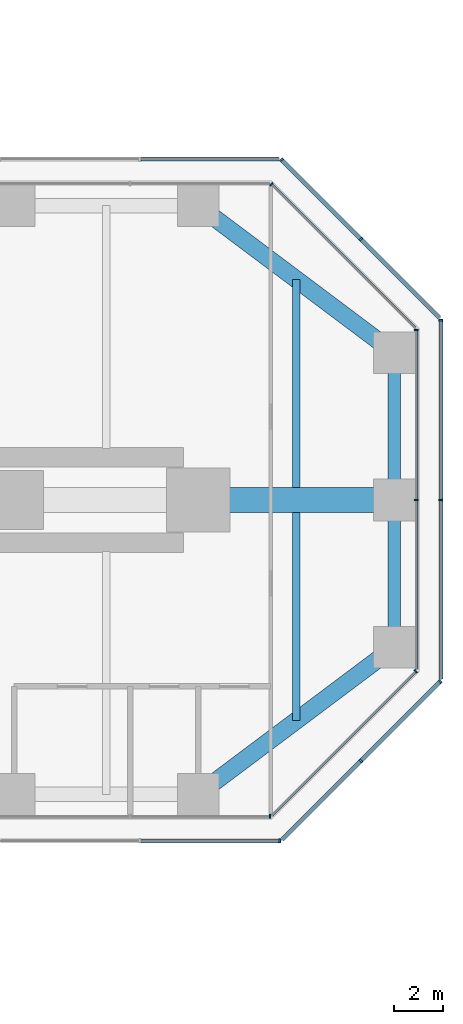
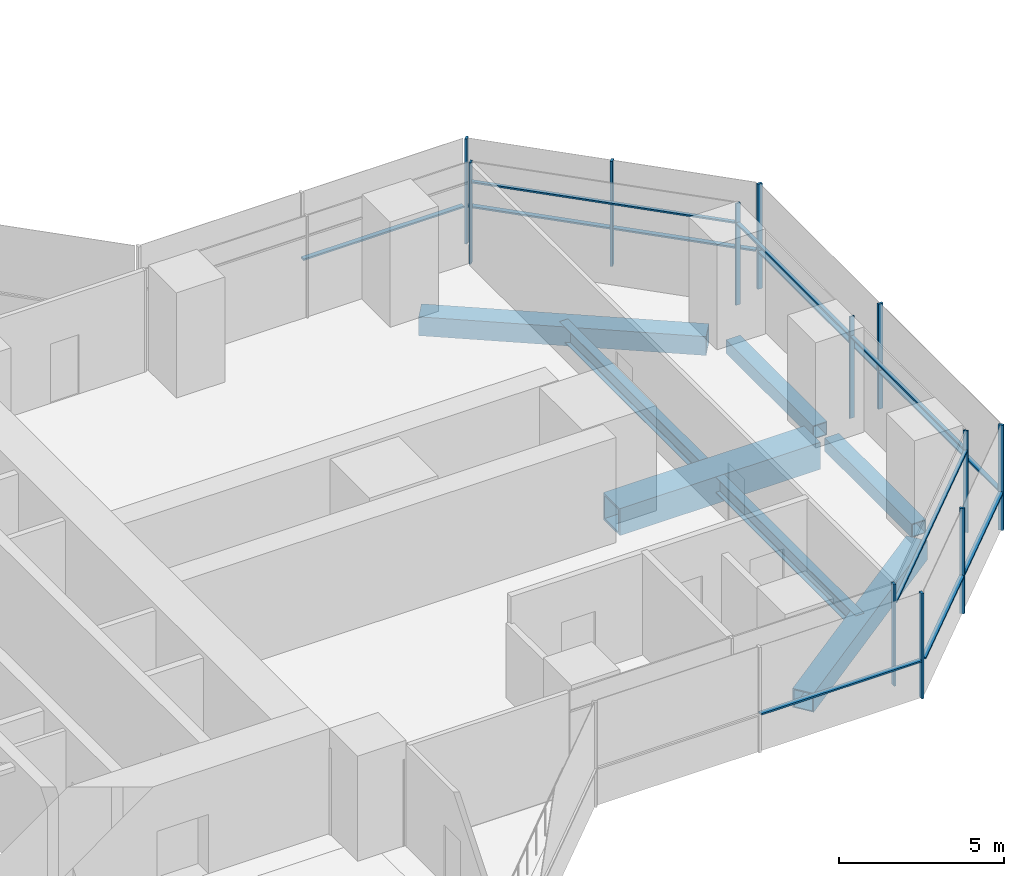
# One storey, part 12 of 22: 24 members, 7 beams, 9 elements without a shape of their own.
"""IFC4 building model written with IfcOpenShell, lengths in metres."""

from ifc_helpers import new_model, si_unit, direction, frame, origin, origin_2d, place, context, subcontext, project, spatial, rectangle, hollow_rectangle, i_section, extrude, material, material_profile, profile_set, type_object, element, aggregate, save


model = new_model("IFC4")

# Units and contexts
model_context = context("Model", 3, precision=1e-05, world=origin(), true_north=direction((0.0, 1.0)))
body_context = subcontext(model_context, "Body", "Model", "MODEL_VIEW")
ifc_project = project(units=[si_unit("LENGTHUNIT", "METRE"), si_unit("AREAUNIT", "SQUARE_METRE"), si_unit("VOLUMEUNIT", "CUBIC_METRE"), si_unit("PLANEANGLEUNIT", "RADIAN"), si_unit("MASSUNIT", "GRAM", prefix="KILO")], contexts=[model_context])

# Site, building, storey
site_placement = place(None, origin())
site = spatial("IfcSite", under=ifc_project, at=site_placement, CompositionType="ELEMENT")
building_placement = place(site_placement, origin())
building = spatial("IfcBuilding", under=site, at=building_placement, Name="Mizan Broadcast Tower", CompositionType="ELEMENT")
storey_placement = place(building_placement, frame((0.0, 0.0, 43.5)))
storey = spatial("IfcBuildingStorey", under=building, at=storey_placement, Name="L07", CompositionType="ELEMENT", Elevation=43.5)

# Beams
ifc_material_1 = material(Name="Steel S355", Category="steel")
ifc_material_profile_1 = material_profile(ifc_material_1, hollow_rectangle(XDim=0.5, YDim=0.5, WallThickness=0.030029296875, at=origin_2d()), Name="BOX 500x500x30")
ifc_profile_set_1 = profile_set([ifc_material_profile_1], Name="Steel S355")
beam_type_1 = type_object("IfcBeamType", Name="EDGE BEAM BOX 500x500x30", PredefinedType="SPANDREL", material=ifc_profile_set_1)
for number, where, z_axis, x_axis, name in (
    (1, (35.0, -5.639892578125, -0.3798828125), (0.0, 1.0, 0.0), (-1.0, 0.0, 0.0), "Edge beam BOX 500x500x30 L07 east arm"),
    (2, (35.0, 5.639892578125, -0.3798828125), (0.0, -1.0, 0.0), (1.0, 0.0, 0.0), "Edge beam BOX 500x500x30 L07 east arm"),
):
    element("IfcBeam", number, at=place(storey_placement, frame(where, z_axis=z_axis, x_axis=x_axis)), inside=storey, type_object=beam_type_1, Name=name, PredefinedType="SPANDREL", context=body_context, shape_type="SweptSolid", body=[
        extrude(hollow_rectangle(XDim=0.5, YDim=0.5, WallThickness=0.030029296875, at=origin_2d()), origin(), (0.0, 0.0, 1.0), 5.27978515625),
    ])
ifc_material_2 = material(Name="Steel S355", Category="steel")
ifc_material_profile_2 = material_profile(ifc_material_2, hollow_rectangle(XDim=0.699951171875, YDim=0.699951171875, WallThickness=0.0400390625, at=origin_2d()), Name="BOX 700x700x40")
ifc_profile_set_2 = profile_set([ifc_material_profile_2], Name="Steel S355")
beam_type_2 = type_object("IfcBeamType", Name="EDGE BEAM BOX 700x700x40", PredefinedType="SPANDREL", material=ifc_profile_set_2)
for number, where, z_axis, x_axis, name in (
    (3, (27.47998046875, -11.639892578125, -0.47998046875), (0.800013316712, 0.599982243973, 0.0), (-0.599982243973, 0.800013316712, 0.0), "Edge beam BOX 700x700x40 L07 east arm"),
    (4, (27.47998046875, 11.639892578125, -0.47998046875), (0.800013316712, -0.599982243973, 0.0), (0.599982243973, 0.800013316712, 0.0), "Edge beam BOX 700x700x40 L07 east arm"),
):
    element("IfcBeam", number, at=place(storey_placement, frame(where, z_axis=z_axis, x_axis=x_axis)), inside=storey, type_object=beam_type_2, Name=name, PredefinedType="SPANDREL", context=body_context, shape_type="SweptSolid", body=[
        extrude(hollow_rectangle(XDim=0.699951171875, YDim=0.699951171875, WallThickness=0.0400390625, at=origin_2d()), origin(), (0.0, 0.0, 1.0), 8.7998046875),
    ])
ifc_material_3 = material(Name="Steel S460", Category="steel")
ifc_material_profile_3 = material_profile(ifc_material_3, hollow_rectangle(XDim=1.0, YDim=1.0, WallThickness=0.080078125, at=origin_2d()), Name="BOX 1000x1000x80")
ifc_profile_set_3 = profile_set([ifc_material_profile_3], Name="Steel S460")
beam_type_3 = type_object("IfcBeamType", Name="GIRDER BOX 1000x1000x80", PredefinedType="BEAM", material=ifc_profile_set_3)
beam_placement = place(storey_placement, frame((27.47998046875, 0.0, -0.6298828125), z_axis=(1.0, 0.0, 0.0), x_axis=(0.0, 1.0, 0.0)))
element("IfcBeam", 5, at=beam_placement, inside=storey, type_object=beam_type_3, Name="Girder BOX 1000x1000x80 L07 east arm", PredefinedType="BEAM", context=body_context, shape_type="SweptSolid", body=[
    extrude(hollow_rectangle(XDim=1.0, YDim=1.0, WallThickness=0.080078125, at=origin_2d()), origin(), (0.0, 0.0, 1.0), 7.0400390625),
])

# Curtain wall, member
ifc_material_4 = material(Name="Aluminium framed glazing", Category="aluminium")
curtain_wall_type_1 = type_object("IfcCurtainWallType", Name="INNER SKIN LOW ZONE", PredefinedType="USERDEFINED", material=ifc_material_4)
curtain_wall_1_placement = place(storey_placement, origin())
curtain_wall_1 = element("IfcCurtainWall", 6, at=curtain_wall_1_placement, inside=storey, type_object=curtain_wall_type_1, Name="Inner skin low zone L07 E side", ObjectType="INNER SKIN LOW ZONE", PredefinedType="USERDEFINED")
ifc_material_5 = material(Name="Aluminium, pale anodised", Category="aluminium")
ifc_material_profile_4 = material_profile(ifc_material_5, rectangle(XDim=0.159912109375, YDim=0.06005859375, at=origin_2d()), Name="MULLION 160x60")
ifc_profile_set_4 = profile_set([ifc_material_profile_4], Name="Aluminium, pale anodised")
member_type_1 = type_object("IfcMemberType", Name="INNER SKIN MULLION 60x160", PredefinedType="MULLION", material=ifc_profile_set_4)
member_1_placement = place(storey_placement, frame((29.928466796875, -12.89990234375, 0.0), z_axis=(0.0, 0.0, 1.0), x_axis=(0.0, 1.0, 0.0)))
member_1 = element("IfcMember", 7, at=member_1_placement, type_object=member_type_1, Name="Inner skin low zone L07 E side mullion 3", PredefinedType="MULLION", context=body_context, shape_type="SweptSolid", body=[
    extrude(rectangle(XDim=0.159912109375, YDim=0.06005859375, at=origin_2d()), origin(), (0.0, 0.0, 1.0), 3.77001953125),
])
aggregate(curtain_wall_1, [member_1])

curtain_wall_2_placement = place(storey_placement, origin())
curtain_wall_2 = element("IfcCurtainWall", 8, at=curtain_wall_2_placement, inside=storey, type_object=curtain_wall_type_1, Name="Inner skin low zone L07 E chamfer", ObjectType="INNER SKIN LOW ZONE", PredefinedType="USERDEFINED")
member_2_placement = place(storey_placement, frame((35.87890625, -6.979736328125, 0.0), z_axis=(0.0, 0.0, 1.0), x_axis=(-0.707106781187, 0.707106781187, 0.0)))
member_2 = element("IfcMember", 9, at=member_2_placement, type_object=member_type_1, Name="Inner skin low zone L07 E chamfer mullion 2", PredefinedType="MULLION", context=body_context, shape_type="SweptSolid", body=[
    extrude(rectangle(XDim=0.159912109375, YDim=0.06005859375, at=origin_2d()), origin(), (0.0, 0.0, 1.0), 3.77001953125),
])

# Curtain wall, members
curtain_wall_3_placement = place(storey_placement, origin())
curtain_wall_3 = element("IfcCurtainWall", 10, at=curtain_wall_3_placement, inside=storey, type_object=curtain_wall_type_1, Name="Inner skin low zone L07 E end", ObjectType="INNER SKIN LOW ZONE", PredefinedType="USERDEFINED")
member_3_placement = place(storey_placement, frame((35.89990234375, 0.0, 0.0), z_axis=(0.0, 0.0, 1.0), x_axis=(-1.0, 0.0, 0.0)))
member_3 = element("IfcMember", 11, at=member_3_placement, type_object=member_type_1, Name="Inner skin low zone L07 E end mullion 2", PredefinedType="MULLION", context=body_context, shape_type="SweptSolid", body=[
    extrude(rectangle(XDim=0.159912109375, YDim=0.06005859375, at=origin_2d()), origin(), (0.0, 0.0, 1.0), 3.77001953125),
])
member_4_placement = place(storey_placement, frame((35.89990234375, 6.928466796875, 0.0), z_axis=(0.0, 0.0, 1.0), x_axis=(-1.0, 0.0, 0.0)))
member_4 = element("IfcMember", 12, at=member_4_placement, type_object=member_type_1, Name="Inner skin low zone L07 E end mullion 3", PredefinedType="MULLION", context=body_context, shape_type="SweptSolid", body=[
    extrude(rectangle(XDim=0.159912109375, YDim=0.06005859375, at=origin_2d()), origin(), (0.0, 0.0, 1.0), 3.77001953125),
])

# Curtain wall, member
curtain_wall_4_placement = place(storey_placement, origin())
curtain_wall_4 = element("IfcCurtainWall", 13, at=curtain_wall_4_placement, inside=storey, type_object=curtain_wall_type_1, Name="Inner skin low zone L07 E chamfer", ObjectType="INNER SKIN LOW ZONE", PredefinedType="USERDEFINED")
member_5_placement = place(storey_placement, frame((29.979736328125, 12.87890625, 0.0), z_axis=(0.0, 0.0, 1.0), x_axis=(-0.707106781187, -0.707106781187, 0.0)))
member_5 = element("IfcMember", 14, at=member_5_placement, type_object=member_type_1, Name="Inner skin low zone L07 E chamfer mullion 2", PredefinedType="MULLION", context=body_context, shape_type="SweptSolid", body=[
    extrude(rectangle(XDim=0.159912109375, YDim=0.06005859375, at=origin_2d()), origin(), (0.0, 0.0, 1.0), 3.77001953125),
])

# Member
ifc_material_6 = material(Name="Aluminium, pale anodised", Category="aluminium")
ifc_material_profile_5 = material_profile(ifc_material_6, rectangle(XDim=0.1201171875, YDim=0.06005859375, at=origin_2d()), Name="TRANSOM 120x60")
ifc_profile_set_5 = profile_set([ifc_material_profile_5], Name="Aluminium, pale anodised")
member_type_2 = type_object("IfcMemberType", Name="INNER SKIN TRANSOM 60x120", PredefinedType="USERDEFINED", material=ifc_profile_set_5)
member_6_placement = place(storey_placement, frame((30.0009765625, -12.857666015625, 3.030029296875), z_axis=(0.707106781187, 0.707106781187, 0.0), x_axis=(-0.707106781187, 0.707106781187, 0.0)))
member_6 = element("IfcMember", 15, at=member_6_placement, type_object=member_type_2, Name="Inner skin low zone L07 E chamfer transom 1.1", ObjectType="TRANSOM", PredefinedType="USERDEFINED", context=body_context, shape_type="SweptSolid", body=[
    extrude(rectangle(XDim=0.1201171875, YDim=0.06005859375, at=origin_2d()), origin(), (0.0, 0.0, 1.0), 8.28271484375),
])

aggregate(curtain_wall_2, [member_2, member_6])

member_7_placement = place(storey_placement, frame((35.89990234375, -6.898681640625, 3.030029296875), z_axis=(0.0, 1.0, 0.0), x_axis=(-1.0, 0.0, 0.0)))
member_7 = element("IfcMember", 16, at=member_7_placement, type_object=member_type_2, Name="Inner skin low zone L07 E end transom 1.1", ObjectType="TRANSOM", PredefinedType="USERDEFINED", context=body_context, shape_type="SweptSolid", body=[
    extrude(rectangle(XDim=0.1201171875, YDim=0.06005859375, at=origin_2d()), origin(), (0.0, 0.0, 1.0), 6.86865234375),
])

member_8_placement = place(storey_placement, frame((35.89990234375, 0.030029296875, 3.030029296875), z_axis=(0.0, 1.0, 0.0), x_axis=(-1.0, 0.0, 0.0)))
member_8 = element("IfcMember", 17, at=member_8_placement, type_object=member_type_2, Name="Inner skin low zone L07 E end transom 2.1", ObjectType="TRANSOM", PredefinedType="USERDEFINED", context=body_context, shape_type="SweptSolid", body=[
    extrude(rectangle(XDim=0.1201171875, YDim=0.06005859375, at=origin_2d()), origin(), (0.0, 0.0, 1.0), 6.86865234375),
])

aggregate(curtain_wall_3, [member_3, member_4, member_7, member_8])

member_9_placement = place(storey_placement, frame((35.857666015625, 7.0009765625, 3.030029296875), z_axis=(-0.707106781187, 0.707106781187, 0.0), x_axis=(-0.707106781187, -0.707106781187, 0.0)))
member_9 = element("IfcMember", 18, at=member_9_placement, type_object=member_type_2, Name="Inner skin low zone L07 E chamfer transom 1.1", ObjectType="TRANSOM", PredefinedType="USERDEFINED", context=body_context, shape_type="SweptSolid", body=[
    extrude(rectangle(XDim=0.1201171875, YDim=0.06005859375, at=origin_2d()), origin(), (0.0, 0.0, 1.0), 8.28271484375),
])

aggregate(curtain_wall_4, [member_5, member_9])

# Curtain wall, members
ifc_material_7 = material(Name="Aluminium framed glazing", Category="aluminium")
curtain_wall_type_2 = type_object("IfcCurtainWallType", Name="OUTER SKIN", PredefinedType="USERDEFINED", material=ifc_material_7)
curtain_wall_5_placement = place(storey_placement, origin())
curtain_wall_5 = element("IfcCurtainWall", 19, at=curtain_wall_5_placement, inside=storey, type_object=curtain_wall_type_2, Name="Outer skin L07 E chamfer", ObjectType="OUTER SKIN", PredefinedType="USERDEFINED")
ifc_material_8 = material(Name="Aluminium, pale anodised", Category="aluminium")
ifc_material_profile_6 = material_profile(ifc_material_8, rectangle(XDim=0.159912109375, YDim=0.080078125, at=origin_2d()), Name="MULLION 160x80")
ifc_profile_set_6 = profile_set([ifc_material_profile_6], Name="Aluminium, pale anodised")
member_type_3 = type_object("IfcMemberType", Name="OUTER SKIN MULLION 80x160", PredefinedType="MULLION", material=ifc_profile_set_6)
member_10_placement = place(storey_placement, frame((33.636474609375, -10.636474609375, 0.0), z_axis=(0.0, 0.0, 1.0), x_axis=(-0.707106781187, 0.707106781187, 0.0)))
member_10 = element("IfcMember", 20, at=member_10_placement, type_object=member_type_3, Name="Outer skin L07 E chamfer mullion 2", PredefinedType="MULLION", context=body_context, shape_type="SweptSolid", body=[
    extrude(rectangle(XDim=0.159912109375, YDim=0.080078125, at=origin_2d()), origin(), (0.0, 0.0, 1.0), 3.89990234375),
])
member_11_placement = place(storey_placement, frame((36.871826171875, -7.401123046875, 0.0), z_axis=(0.0, 0.0, 1.0), x_axis=(-0.707106781187, 0.707106781187, 0.0)))
member_11 = element("IfcMember", 21, at=member_11_placement, type_object=member_type_3, Name="Outer skin L07 E chamfer mullion 3", PredefinedType="MULLION", context=body_context, shape_type="SweptSolid", body=[
    extrude(rectangle(XDim=0.159912109375, YDim=0.080078125, at=origin_2d()), origin(), (0.0, 0.0, 1.0), 3.89990234375),
])

curtain_wall_6_placement = place(storey_placement, origin())
curtain_wall_6 = element("IfcCurtainWall", 22, at=curtain_wall_6_placement, inside=storey, type_object=curtain_wall_type_2, Name="Outer skin L07 E end", ObjectType="OUTER SKIN", PredefinedType="USERDEFINED")
member_12_placement = place(storey_placement, frame((36.89990234375, 0.0, 0.0), z_axis=(0.0, 0.0, 1.0), x_axis=(-1.0, 0.0, 0.0)))
member_12 = element("IfcMember", 23, at=member_12_placement, type_object=member_type_3, Name="Outer skin L07 E end mullion 2", PredefinedType="MULLION", context=body_context, shape_type="SweptSolid", body=[
    extrude(rectangle(XDim=0.159912109375, YDim=0.080078125, at=origin_2d()), origin(), (0.0, 0.0, 1.0), 3.89990234375),
])
member_13_placement = place(storey_placement, frame((36.89990234375, 7.332763671875, 0.0), z_axis=(0.0, 0.0, 1.0), x_axis=(-1.0, 0.0, 0.0)))
member_13 = element("IfcMember", 24, at=member_13_placement, type_object=member_type_3, Name="Outer skin L07 E end mullion 3", PredefinedType="MULLION", context=body_context, shape_type="SweptSolid", body=[
    extrude(rectangle(XDim=0.159912109375, YDim=0.080078125, at=origin_2d()), origin(), (0.0, 0.0, 1.0), 3.89990234375),
])

curtain_wall_7_placement = place(storey_placement, origin())
curtain_wall_7 = element("IfcCurtainWall", 25, at=curtain_wall_7_placement, inside=storey, type_object=curtain_wall_type_2, Name="Outer skin L07 E chamfer", ObjectType="OUTER SKIN", PredefinedType="USERDEFINED")
member_14_placement = place(storey_placement, frame((33.636474609375, 10.636474609375, 0.0), z_axis=(0.0, 0.0, 1.0), x_axis=(-0.707106781187, -0.707106781187, 0.0)))
member_14 = element("IfcMember", 26, at=member_14_placement, type_object=member_type_3, Name="Outer skin L07 E chamfer mullion 2", PredefinedType="MULLION", context=body_context, shape_type="SweptSolid", body=[
    extrude(rectangle(XDim=0.159912109375, YDim=0.080078125, at=origin_2d()), origin(), (0.0, 0.0, 1.0), 3.89990234375),
])
member_15_placement = place(storey_placement, frame((30.401123046875, 13.871826171875, 0.0), z_axis=(0.0, 0.0, 1.0), x_axis=(-0.707106781187, -0.707106781187, 0.0)))
member_15 = element("IfcMember", 27, at=member_15_placement, type_object=member_type_3, Name="Outer skin L07 E chamfer mullion 3", PredefinedType="MULLION", context=body_context, shape_type="SweptSolid", body=[
    extrude(rectangle(XDim=0.159912109375, YDim=0.080078125, at=origin_2d()), origin(), (0.0, 0.0, 1.0), 3.89990234375),
])

# Curtain wall, member
curtain_wall_8_placement = place(storey_placement, origin())
curtain_wall_8 = element("IfcCurtainWall", 28, at=curtain_wall_8_placement, inside=storey, type_object=curtain_wall_type_2, Name="Outer skin L07 E side", ObjectType="OUTER SKIN", PredefinedType="USERDEFINED")
member_16_placement = place(storey_placement, frame((30.332763671875, -13.89990234375, 0.0), z_axis=(0.0, 0.0, 1.0), x_axis=(0.0, 1.0, 0.0)))
member_16 = element("IfcMember", 29, at=member_16_placement, type_object=member_type_3, Name="Outer skin L07 E side mullion 3", PredefinedType="MULLION", context=body_context, shape_type="SweptSolid", body=[
    extrude(rectangle(XDim=0.159912109375, YDim=0.080078125, at=origin_2d()), origin(), (0.0, 0.0, 1.0), 3.89990234375),
])

# Member
ifc_material_9 = material(Name="Aluminium, pale anodised", Category="aluminium")
ifc_material_profile_7 = material_profile(ifc_material_9, rectangle(XDim=0.159912109375, YDim=0.06005859375, at=origin_2d()), Name="TRANSOM 160x60")
ifc_profile_set_7 = profile_set([ifc_material_profile_7], Name="Aluminium, pale anodised")
member_type_4 = type_object("IfcMemberType", Name="OUTER SKIN TRANSOM 60x160", PredefinedType="USERDEFINED", material=ifc_profile_set_7)
member_17_placement = place(storey_placement, frame((30.429443359375, -13.843505859375, 1.39990234375), z_axis=(0.707106781187, 0.707106781187, 0.0), x_axis=(-0.707106781187, 0.707106781187, 0.0)))
member_17 = element("IfcMember", 30, at=member_17_placement, type_object=member_type_4, Name="Outer skin L07 E chamfer transom 1.1", ObjectType="TRANSOM", PredefinedType="USERDEFINED", context=body_context, shape_type="SweptSolid", body=[
    extrude(rectangle(XDim=0.159912109375, YDim=0.06005859375, at=origin_2d()), origin(), (0.0, 0.0, 1.0), 4.495361328125),
])

member_18_placement = place(storey_placement, frame((33.664794921875, -10.608154296875, 1.39990234375), z_axis=(0.707106781187, 0.707106781187, 0.0), x_axis=(-0.707106781187, 0.707106781187, 0.0)))
member_18 = element("IfcMember", 31, at=member_18_placement, type_object=member_type_4, Name="Outer skin L07 E chamfer transom 2.1", ObjectType="TRANSOM", PredefinedType="USERDEFINED", context=body_context, shape_type="SweptSolid", body=[
    extrude(rectangle(XDim=0.159912109375, YDim=0.06005859375, at=origin_2d()), origin(), (0.0, 0.0, 1.0), 4.495361328125),
])

aggregate(curtain_wall_5, [member_10, member_11, member_17, member_18])

member_19_placement = place(storey_placement, frame((36.89990234375, -7.292724609375, 1.39990234375), z_axis=(0.0, 1.0, 0.0), x_axis=(-1.0, 0.0, 0.0)))
member_19 = element("IfcMember", 32, at=member_19_placement, type_object=member_type_4, Name="Outer skin L07 E end transom 1.1", ObjectType="TRANSOM", PredefinedType="USERDEFINED", context=body_context, shape_type="SweptSolid", body=[
    extrude(rectangle(XDim=0.159912109375, YDim=0.06005859375, at=origin_2d()), origin(), (0.0, 0.0, 1.0), 7.252685546875),
])

member_20_placement = place(storey_placement, frame((36.89990234375, 0.0400390625, 1.39990234375), z_axis=(0.0, 1.0, 0.0), x_axis=(-1.0, 0.0, 0.0)))
member_20 = element("IfcMember", 33, at=member_20_placement, type_object=member_type_4, Name="Outer skin L07 E end transom 2.1", ObjectType="TRANSOM", PredefinedType="USERDEFINED", context=body_context, shape_type="SweptSolid", body=[
    extrude(rectangle(XDim=0.159912109375, YDim=0.06005859375, at=origin_2d()), origin(), (0.0, 0.0, 1.0), 7.252685546875),
])

aggregate(curtain_wall_6, [member_12, member_13, member_19, member_20])

member_21_placement = place(storey_placement, frame((36.843505859375, 7.429443359375, 1.39990234375), z_axis=(-0.707106781187, 0.707106781187, 0.0), x_axis=(-0.707106781187, -0.707106781187, 0.0)))
member_21 = element("IfcMember", 34, at=member_21_placement, type_object=member_type_4, Name="Outer skin L07 E chamfer transom 1.1", ObjectType="TRANSOM", PredefinedType="USERDEFINED", context=body_context, shape_type="SweptSolid", body=[
    extrude(rectangle(XDim=0.159912109375, YDim=0.06005859375, at=origin_2d()), origin(), (0.0, 0.0, 1.0), 4.495361328125),
])

member_22_placement = place(storey_placement, frame((33.608154296875, 10.664794921875, 1.39990234375), z_axis=(-0.707106781187, 0.707106781187, 0.0), x_axis=(-0.707106781187, -0.707106781187, 0.0)))
member_22 = element("IfcMember", 35, at=member_22_placement, type_object=member_type_4, Name="Outer skin L07 E chamfer transom 2.1", ObjectType="TRANSOM", PredefinedType="USERDEFINED", context=body_context, shape_type="SweptSolid", body=[
    extrude(rectangle(XDim=0.159912109375, YDim=0.06005859375, at=origin_2d()), origin(), (0.0, 0.0, 1.0), 4.495361328125),
])

aggregate(curtain_wall_7, [member_14, member_15, member_21, member_22])

# Curtain wall, member
curtain_wall_9_placement = place(storey_placement, origin())
curtain_wall_9 = element("IfcCurtainWall", 36, at=curtain_wall_9_placement, inside=storey, type_object=curtain_wall_type_2, Name="Outer skin L07 E side", ObjectType="OUTER SKIN", PredefinedType="USERDEFINED")
member_23_placement = place(storey_placement, frame((30.292724609375, 13.89990234375, 1.39990234375), z_axis=(-1.0, 0.0, 0.0), x_axis=(0.0, -1.0, 0.0)))
member_23 = element("IfcMember", 37, at=member_23_placement, type_object=member_type_4, Name="Outer skin L07 E side transom 1.1", ObjectType="TRANSOM", PredefinedType="USERDEFINED", context=body_context, shape_type="SweptSolid", body=[
    extrude(rectangle(XDim=0.159912109375, YDim=0.06005859375, at=origin_2d()), origin(), (0.0, 0.0, 1.0), 5.6298828125),
])
aggregate(curtain_wall_9, [member_23])

# Member
member_24_placement = place(storey_placement, frame((24.662841796875, -13.89990234375, 1.39990234375), z_axis=(1.0, 0.0, 0.0), x_axis=(0.0, 1.0, 0.0)))
member_24 = element("IfcMember", 38, at=member_24_placement, type_object=member_type_4, Name="Outer skin L07 E side transom 2.1", ObjectType="TRANSOM", PredefinedType="USERDEFINED", context=body_context, shape_type="SweptSolid", body=[
    extrude(rectangle(XDim=0.159912109375, YDim=0.06005859375, at=origin_2d()), origin(), (0.0, 0.0, 1.0), 5.6298828125),
])

aggregate(curtain_wall_8, [member_16, member_24])

# Beams
ifc_material_10 = material(Name="Steel S355", Category="steel")
ifc_material_profile_8 = material_profile(ifc_material_10, i_section(OverallWidth=0.300048828125, OverallDepth=0.590087890625, WebThickness=0.012939453125, FlangeThickness=0.02490234375, FilletRadius=0.027099609375, at=origin_2d()), Name="HEA 600")
ifc_profile_set_8 = profile_set([ifc_material_profile_8], Name="Steel S355")
beam_type_4 = type_object("IfcBeamType", Name="SECONDARY BEAM HEA 600", PredefinedType="JOIST", material=ifc_profile_set_8)
for number, where, z_axis, x_axis, name in (
    (39, (31.0, -9.0, -0.425048828125), (0.0, 1.0, 0.0), (-1.0, 0.0, 0.0), "Secondary beam HEA 600 L07 east arm"),
    (40, (31.0, 9.0, -0.425048828125), (0.0, -1.0, 0.0), (1.0, 0.0, 0.0), "Secondary beam HEA 600 L07 east arm"),
):
    element("IfcBeam", number, at=place(storey_placement, frame(where, z_axis=z_axis, x_axis=x_axis)), inside=storey, type_object=beam_type_4, Name=name, PredefinedType="JOIST", context=body_context, shape_type="SweptSolid", body=[
        extrude(i_section(OverallWidth=0.300048828125, OverallDepth=0.590087890625, WebThickness=0.012939453125, FlangeThickness=0.02490234375, FilletRadius=0.027099609375, at=origin_2d()), origin(), (0.0, 0.0, 1.0), 8.5),
    ])

save(model, "model.ifc")
